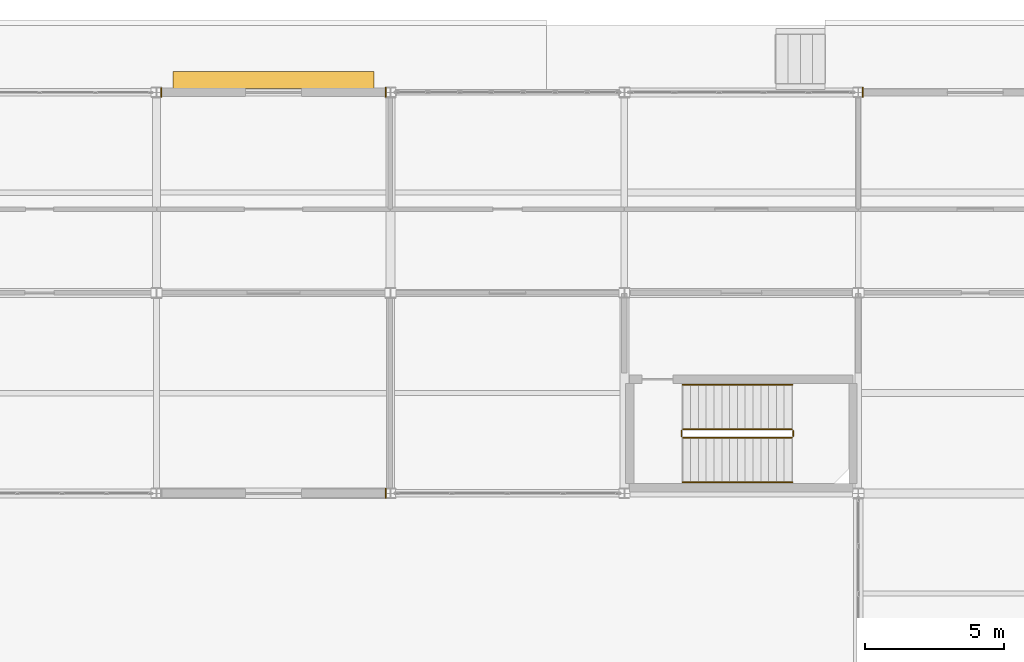
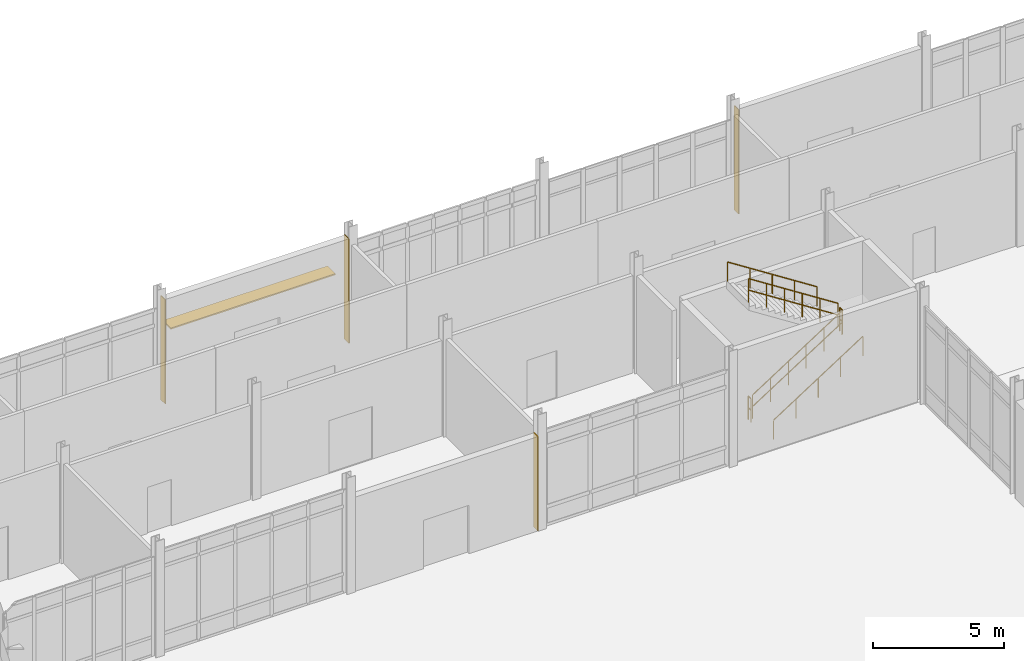
# One storey, part 218 of 229: 6 railings, 4 coverings, 1 shading device.
"""IFC4 building model written with IfcOpenShell, lengths in metres."""

import ifcopenshell
import ifcopenshell.guid

model = None  # the IFC model being written
_history = None  # IfcOwnerHistory: only IFC2X3 demands one
_inside = {}  # id of a spatial element -> (the spatial element, [elements in it])
_under = {}  # id of a project, library or spatial element -> (it, [spatial elements below it])
_declared = {}  # id of a project -> (the project, [libraries it declares])
_typed = {}  # id of a type object -> (the type object, [elements of that type])
_made_of = {}  # id of a material, layer set ... -> (it, [elements and type objects made of it])


def new_model(schema):
    """Start an empty IFC model of exactly this schema.

    Asked for "IFC4X3", IfcOpenShell would pick the latest addendum, in which some entities
    have other attributes; the version numbers below select the first issue.
    IFC2X3 requires an IfcOwnerHistory on every rooted entity: one is made here for all.
    """
    global model, _history
    if schema == "IFC4X3":
        model = ifcopenshell.file(schema_version=(4, 3, 0, 0))
    else:
        model = ifcopenshell.file(schema=schema)
    _inside.clear()
    _under.clear()
    _declared.clear()
    _typed.clear()
    _made_of.clear()
    _history = None
    if model.schema == "IFC2X3":
        org = make("IfcOrganization", Name="unknown")
        user = make(
            "IfcPersonAndOrganization",
            ThePerson=make("IfcPerson", FamilyName="unknown"),
            TheOrganization=org,
        )
        app = make(
            "IfcApplication",
            ApplicationDeveloper=org,
            Version="unknown",
            ApplicationFullName="unknown",
            ApplicationIdentifier="unknown",
        )
        _history = make(
            "IfcOwnerHistory",
            OwningUser=user,
            OwningApplication=app,
            ChangeAction="ADDED",
            CreationDate=0,
        )
    return model


def make(cls, **values):
    """One entity of the class cls with the attributes given. An attribute that is None is left unset."""
    return model.create_entity(
        cls, **{name: value for name, value in values.items() if value is not None}
    )


def rooted(cls, **values):
    """An entity with a GlobalId (a new one), such as an element, a storey or a relation."""
    return make(cls, GlobalId=ifcopenshell.guid.new(), OwnerHistory=_history, **values)


def si_unit(unit_type, name, prefix=None):
    """IfcSIUnit, for example si_unit("LENGTHUNIT", "METRE", prefix="MILLI")."""
    return make("IfcSIUnit", UnitType=unit_type, Prefix=prefix, Name=name)


def assignment(units):
    """IfcUnitAssignment: the units of a project."""
    return None if units is None else make("IfcUnitAssignment", Units=units)


def point(xyz):
    """IfcCartesianPoint."""
    return None if xyz is None else make("IfcCartesianPoint", Coordinates=xyz)


def direction(xyz):
    """IfcDirection."""
    return None if xyz is None else make("IfcDirection", DirectionRatios=xyz)


def frame(location, z_axis=None, x_axis=None):
    """IfcAxis2Placement3D, a coordinate frame: its origin and axes. An axis left out is left unset."""
    return make(
        "IfcAxis2Placement3D",
        Location=point(location),
        Axis=direction(z_axis),
        RefDirection=direction(x_axis),
    )


def frame_2d(location, x_axis=None):
    """IfcAxis2Placement2D, a coordinate frame in the plane: its origin and x axis."""
    return make(
        "IfcAxis2Placement2D", Location=point(location), RefDirection=direction(x_axis)
    )


def origin():
    """The frame at (0, 0, 0) with its axes left unset."""
    return frame((0.0, 0.0, 0.0))


def origin_2d():
    """The frame at (0, 0) in the plane with its x axis left unset."""
    return frame_2d((0.0, 0.0))


def place(relative_to, where):
    """IfcLocalPlacement: puts the frame where relative to a parent placement (None: the world)."""
    return make(
        "IfcLocalPlacement", PlacementRelTo=relative_to, RelativePlacement=where
    )


def context(
    kind, dimensions, precision=None, world=None, true_north=None, identifier=None
):
    """IfcGeometricRepresentationContext, for example the 3D "Model" context."""
    return make(
        "IfcGeometricRepresentationContext",
        ContextIdentifier=identifier,
        ContextType=kind,
        CoordinateSpaceDimension=dimensions,
        Precision=precision,
        WorldCoordinateSystem=world,
        TrueNorth=true_north,
    )


def subcontext(parent, identifier, kind, view, scale=None):
    """IfcGeometricRepresentationSubContext, for example "Body" below "Model"."""
    return make(
        "IfcGeometricRepresentationSubContext",
        ContextIdentifier=identifier,
        ContextType=kind,
        ParentContext=parent,
        TargetScale=scale,
        TargetView=view,
    )


def project(units=None, contexts=None):
    """IfcProject with its units and contexts."""
    return rooted(
        "IfcProject",
        Name="project",
        RepresentationContexts=contexts,
        UnitsInContext=assignment(units),
    )


def spatial(cls, under=None, at=None, **own):
    """A site, building, storey or space (cls), placed at a placement, below another one or the project."""
    s = rooted(cls, ObjectPlacement=at, **own)
    if under is not None:
        _under.setdefault(under.id(), (under, []))[1].append(s)
    return s


def polyline(points):
    """IfcPolyline through the points."""
    return make("IfcPolyline", Points=[point(p) for p in points])


def profile(cls, at=None, kind="AREA", **sizes):
    """A parametric profile (cls). Its sizes go by their IFC names, for example OverallWidth=200.0."""
    return make(cls, ProfileType=kind, Position=at, **sizes)


def rectangle(**sizes):
    """IfcRectangleProfileDef."""
    return profile("IfcRectangleProfileDef", **sizes)


def circle(**sizes):
    """IfcCircleProfileDef."""
    return profile("IfcCircleProfileDef", **sizes)


def outline(outer, holes=None, kind="AREA"):
    """IfcArbitraryClosedProfileDef: a profile drawn as a closed curve; with holes, ...WithVoids."""
    if holes is None:
        return make("IfcArbitraryClosedProfileDef", ProfileType=kind, OuterCurve=outer)
    return make(
        "IfcArbitraryProfileDefWithVoids",
        ProfileType=kind,
        OuterCurve=outer,
        InnerCurves=holes,
    )


def extrude(swept, where, along, depth):
    """IfcExtrudedAreaSolid: the profile swept, set in the frame where, extruded along a direction by depth."""
    return make(
        "IfcExtrudedAreaSolid",
        SweptArea=swept,
        Position=where,
        ExtrudedDirection=direction(along),
        Depth=depth,
    )


def shape(context_of_items, identifier, shape_type, items):
    """IfcShapeRepresentation: the items that make up one representation, for example the "Body"."""
    return make(
        "IfcShapeRepresentation",
        ContextOfItems=context_of_items,
        RepresentationIdentifier=identifier,
        RepresentationType=shape_type,
        Items=items,
    )


def material(Name=None, Category=None):
    """IfcMaterial."""
    return make("IfcMaterial", Name=Name, Category=Category)


def layer(
    of_material, thickness, ventilated=None, Name=None, Category=None, Priority=None
):
    """IfcMaterialLayer: one layer of a wall or slab, of a material (None: an air gap)."""
    return make(
        "IfcMaterialLayer",
        Material=of_material,
        LayerThickness=thickness,
        IsVentilated=ventilated,
        Name=Name,
        Category=Category,
        Priority=Priority,
    )


def layer_set(layers, Name=None):
    """IfcMaterialLayerSet."""
    return make("IfcMaterialLayerSet", MaterialLayers=layers, LayerSetName=Name)


def made_of(thing, what):
    """Note that an element or type object is made of a material, layer set ...; save() writes the relation."""
    if what is not None:
        _made_of.setdefault(what.id(), (what, []))[1].append(thing)
    return thing


def type_object(cls, material=None, **own):
    """A type object (cls), such as IfcWallType, which elements share."""
    return made_of(rooted(cls, **own), material)


def element(
    cls,
    number,
    at=None,
    inside=None,
    cuts=None,
    type_object=None,
    material=None,
    context=None,
    identifier="Body",
    shape_type=None,
    held_by="IfcProductDefinitionShape",
    body=None,
    shapes=None,
    **own,
):
    """One element of the class cls, such as IfcWall. Its Tag is "e" and its number.

    at: its placement. inside: the storey or other place that contains it. cuts: it is an
    opening in that element (IfcRelVoidsElement). A single representation is given by context,
    identifier, shape_type and body (its items); several are given by shapes. held_by: the class
    of the entity that holds the representations. save() writes the other relations.
    """
    e = rooted(cls, Tag="e%d" % number, ObjectPlacement=at, **own)
    if body is not None:
        shapes = [shape(context, identifier, shape_type, body)]
    if shapes is not None:
        e.Representation = make(held_by, Representations=shapes)
    if inside is not None:
        _inside.setdefault(inside.id(), (inside, []))[1].append(e)
    if cuts is not None:
        rooted(
            "IfcRelVoidsElement", RelatingBuildingElement=cuts, RelatedOpeningElement=e
        )
    if type_object is not None:
        _typed.setdefault(type_object.id(), (type_object, []))[1].append(e)
    return made_of(e, material)


def aggregate(whole, parts):
    """IfcRelAggregates: a whole, such as a stair, and the parts it consists of."""
    return rooted("IfcRelAggregates", RelatingObject=whole, RelatedObjects=parts)


def save(model, path):
    """Write the relations noted so far, then the file.

    IfcRelAggregates (storeys below a building ...), IfcRelContainedInSpatialStructure (elements
    in a storey), IfcRelDefinesByType, IfcRelAssociatesMaterial and IfcRelDeclares: one each for
    every whole, place, type object, material and project.
    """
    for whole, parts in _under.values():
        aggregate(whole, parts)
    for where, things in _inside.values():
        rooted(
            "IfcRelContainedInSpatialStructure",
            RelatedElements=things,
            RelatingStructure=where,
        )
    for kind, things in _typed.values():
        rooted("IfcRelDefinesByType", RelatedObjects=things, RelatingType=kind)
    for what, things in _made_of.values():
        rooted("IfcRelAssociatesMaterial", RelatedObjects=things, RelatingMaterial=what)
    for by, libraries in _declared.values():
        rooted("IfcRelDeclares", RelatingContext=by, RelatedDefinitions=libraries)
    model.write(path)


model = new_model("IFC4")

# Units and contexts
model_context = context("Model", 3, precision=1e-05, world=origin(), true_north=direction((0.0, 1.0)))
body_context = subcontext(model_context, "Body", "Model", "MODEL_VIEW")
ifc_project = project(units=[si_unit("LENGTHUNIT", "METRE"), si_unit("AREAUNIT", "SQUARE_METRE"), si_unit("VOLUMEUNIT", "CUBIC_METRE"), si_unit("PLANEANGLEUNIT", "RADIAN"), si_unit("MASSUNIT", "GRAM", prefix="KILO")], contexts=[model_context])

# Site, building, storey
site_placement = place(None, origin())
site = spatial("IfcSite", under=ifc_project, at=site_placement, CompositionType="ELEMENT")
building_placement = place(site_placement, origin())
building = spatial("IfcBuilding", under=site, at=building_placement, Name="Calvrana Isthmian Art Gallery", CompositionType="ELEMENT")
storey_placement = place(building_placement, origin())
storey = spatial("IfcBuildingStorey", under=building, at=storey_placement, Name="L00", CompositionType="ELEMENT", Elevation=0.0)

# Coverings
ifc_material_1 = material(Name="Polychrome glazed terracotta", Category="masonry")
ifc_layer_1 = layer(ifc_material_1, 0.0400390625, Name="Polychrome glazed terracotta")
ifc_layer_set_1 = layer_set([ifc_layer_1], Name="Polychrome glazed terracotta")
covering_type = type_object("IfcCoveringType", Name="COV-CLAD-TERRA", PredefinedType="CLADDING", material=ifc_layer_set_1)
covering_1_placement = place(storey_placement, origin())
element("IfcCovering", 1, at=covering_1_placement, inside=storey, type_object=covering_type, Name="Column pocket weather closure L00-04-13-E", PredefinedType="CLADDING", context=body_context, shape_type="SweptSolid", body=[
    extrude(outline(polyline([(38.214599609375, 98.223388671875), (38.25439453125, 98.223388671875), (38.25439453125, 98.576416015625), (38.214599609375, 98.576416015625), (38.214599609375, 98.223388671875)])), origin(), (0.0, 0.0, 1.0), 4.3779296875),
])
covering_2_placement = place(storey_placement, origin())
element("IfcCovering", 2, at=covering_2_placement, inside=storey, type_object=covering_type, Name="Column pocket weather closure L00-04-15-W", PredefinedType="CLADDING", context=body_context, shape_type="SweptSolid", body=[
    extrude(outline(polyline([(30.14404296875, 112.626953125), (30.18408203125, 112.626953125), (30.18408203125, 112.972900390625), (30.14404296875, 112.972900390625), (30.14404296875, 112.626953125)])), origin(), (0.0, 0.0, 1.0), 4.835205078125),
])
covering_3_placement = place(storey_placement, origin())
element("IfcCovering", 3, at=covering_3_placement, inside=storey, type_object=covering_type, Name="Column pocket weather closure L00-04-15-E", PredefinedType="CLADDING", context=body_context, shape_type="SweptSolid", body=[
    extrude(outline(polyline([(38.21337890625, 112.618408203125), (38.25341796875, 112.618408203125), (38.25341796875, 112.9814453125), (38.21337890625, 112.9814453125), (38.21337890625, 112.618408203125)])), origin(), (0.0, 0.0, 1.0), 4.835205078125),
])
covering_4_placement = place(storey_placement, origin())
element("IfcCovering", 4, at=covering_4_placement, inside=storey, type_object=covering_type, Name="Column pocket weather closure L00-07-15-W", PredefinedType="CLADDING", context=body_context, shape_type="SweptSolid", body=[
    extrude(outline(polyline([(55.345458984375, 112.62353515625), (55.385498046875, 112.62353515625), (55.385498046875, 112.9765625), (55.345458984375, 112.9765625), (55.345458984375, 112.62353515625)])), origin(), (0.0, 0.0, 1.0), 4.835205078125),
])

# Railings
ifc_material_2 = material(Name="Stainless steel 316", Category="steel")
railing_type_1 = type_object("IfcRailingType", Name="RL-GUARD-1120", PredefinedType="BALUSTRADE", material=ifc_material_2)
railing_1_placement = place(storey_placement, frame((48.89990234375, 100.39990234375, 0.179931640625)))
element("IfcRailing", 5, at=railing_1_placement, inside=storey, type_object=railing_type_1, Name="Stair ST-6 guard L00-1", PredefinedType="BALUSTRADE", context=body_context, shape_type="SweptSolid", body=[
    extrude(circle(Radius=0.02392578125, at=origin_2d()), frame((0.0, 0.0, 1.09619140625), z_axis=(0.841186985886, 0.0, 0.540744352514), x_axis=(0.0, 1.0, 0.0)), (0.0, 0.0, 1.0), 4.660400390625),
    extrude(circle(Radius=0.02392578125, at=origin_2d()), frame((0.0, 0.0, 0.56005859375), z_axis=(0.841186985886, 0.0, 0.540744352514), x_axis=(0.0, 1.0, 0.0)), (0.0, 0.0, 1.0), 4.660400390625),
    extrude(circle(Radius=0.02099609375, at=origin_2d()), origin(), (0.0, 0.0, 1.0), 1.072021484375),
    extrude(circle(Radius=0.02099609375, at=origin_2d()), frame((0.783935546875, 0.0, 0.50390625)), (0.0, 0.0, 1.0), 1.072021484375),
    extrude(circle(Radius=0.02099609375, at=origin_2d()), frame((1.568115234375, 0.0, 1.008056640625)), (0.0, 0.0, 1.0), 1.072021484375),
    extrude(circle(Radius=0.02099609375, at=origin_2d()), frame((2.35205078125, 0.0, 1.511962890625)), (0.0, 0.0, 1.0), 1.072021484375),
    extrude(circle(Radius=0.02099609375, at=origin_2d()), frame((3.13623046875, 0.0, 2.01611328125)), (0.0, 0.0, 1.0), 1.072021484375),
    extrude(circle(Radius=0.02099609375, at=origin_2d()), frame((3.920166015625, 0.0, 2.52001953125)), (0.0, 0.0, 1.0), 1.072021484375),
])
railing_2_placement = place(storey_placement, frame((52.8701171875, 100.449951171875, 2.699951171875)))
element("IfcRailing", 6, at=railing_2_placement, inside=storey, type_object=railing_type_1, Name="Stair ST-6 guard L00-2", PredefinedType="BALUSTRADE", context=body_context, shape_type="SweptSolid", body=[
    extrude(circle(Radius=0.02392578125, at=origin_2d()), frame((0.0, 0.0, 1.09619140625), z_axis=(0.0, 1.0, 0.0), x_axis=(-1.0, 0.0, 0.0)), (0.0, 0.0, 1.0), 0.199951171875),
    extrude(circle(Radius=0.02392578125, at=origin_2d()), frame((0.0, 0.0, 0.56005859375), z_axis=(0.0, 1.0, 0.0), x_axis=(-1.0, 0.0, 0.0)), (0.0, 0.0, 1.0), 0.199951171875),
    extrude(circle(Radius=0.02099609375, at=origin_2d()), origin(), (0.0, 0.0, 1.0), 1.072021484375),
    extrude(circle(Radius=0.02099609375, at=origin_2d()), frame((0.0, 0.199951171875, 0.0)), (0.0, 0.0, 1.0), 1.072021484375),
])
railing_3_placement = place(storey_placement, frame((52.820068359375, 100.699951171875, 2.8798828125)))
element("IfcRailing", 7, at=railing_3_placement, inside=storey, type_object=railing_type_1, Name="Stair ST-6 guard L00-3", PredefinedType="BALUSTRADE", context=body_context, shape_type="SweptSolid", body=[
    extrude(circle(Radius=0.02392578125, at=origin_2d()), frame((0.0, 0.0, 1.09619140625), z_axis=(-0.841186985886, 0.0, 0.540744352514), x_axis=(0.0, -1.0, 0.0)), (0.0, 0.0, 1.0), 4.660400390625),
    extrude(circle(Radius=0.02392578125, at=origin_2d()), frame((0.0, 0.0, 0.56005859375), z_axis=(-0.841186985886, 0.0, 0.540744352514), x_axis=(0.0, -1.0, 0.0)), (0.0, 0.0, 1.0), 4.660400390625),
    extrude(circle(Radius=0.02099609375, at=origin_2d()), origin(), (0.0, 0.0, 1.0), 1.072021484375),
    extrude(circle(Radius=0.02099609375, at=origin_2d()), frame((-0.783935546875, 0.0, 0.50390625)), (0.0, 0.0, 1.0), 1.072021484375),
    extrude(circle(Radius=0.02099609375, at=origin_2d()), frame((-1.568115234375, 0.0, 1.008056640625)), (0.0, 0.0, 1.0), 1.072021484375),
    extrude(circle(Radius=0.02099609375, at=origin_2d()), frame((-2.35205078125, 0.0, 1.511962890625)), (0.0, 0.0, 1.0), 1.072021484375),
    extrude(circle(Radius=0.02099609375, at=origin_2d()), frame((-3.13623046875, 0.0, 2.01611328125)), (0.0, 0.0, 1.0), 1.072021484375),
    extrude(circle(Radius=0.02099609375, at=origin_2d()), frame((-3.920166015625, 0.0, 2.52001953125)), (0.0, 0.0, 1.0), 1.072021484375),
])
railing_4_placement = place(storey_placement, frame((48.85009765625, 100.449951171875, 0.0)))
element("IfcRailing", 8, at=railing_4_placement, inside=storey, type_object=railing_type_1, Name="Stair ST-6 guard L00-4", PredefinedType="BALUSTRADE", context=body_context, shape_type="SweptSolid", body=[
    extrude(circle(Radius=0.02392578125, at=origin_2d()), frame((0.0, 0.0, 1.09619140625), z_axis=(0.0, 1.0, 0.0), x_axis=(-1.0, 0.0, 0.0)), (0.0, 0.0, 1.0), 0.199951171875),
    extrude(circle(Radius=0.02392578125, at=origin_2d()), frame((0.0, 0.0, 0.56005859375), z_axis=(0.0, 1.0, 0.0), x_axis=(-1.0, 0.0, 0.0)), (0.0, 0.0, 1.0), 0.199951171875),
    extrude(circle(Radius=0.02099609375, at=origin_2d()), origin(), (0.0, 0.0, 1.0), 1.072021484375),
    extrude(circle(Radius=0.02099609375, at=origin_2d()), frame((0.0, 0.199951171875, 0.0)), (0.0, 0.0, 1.0), 1.072021484375),
])
railing_type_2 = type_object("IfcRailingType", Name="RL-HAND-920", PredefinedType="HANDRAIL", material=ifc_material_2)
railing_5_placement = place(storey_placement, frame((48.89990234375, 98.800048828125, 0.179931640625)))
element("IfcRailing", 9, at=railing_5_placement, inside=storey, type_object=railing_type_2, Name="Stair ST-6 handrail L00-1", PredefinedType="HANDRAIL", context=body_context, shape_type="SweptSolid", body=[
    extrude(circle(Radius=0.02392578125, at=origin_2d()), frame((0.0, 0.0, 0.89599609375), z_axis=(0.841186985886, 0.0, 0.540744352514), x_axis=(0.0, 1.0, 0.0)), (0.0, 0.0, 1.0), 4.660400390625),
    extrude(circle(Radius=0.02099609375, at=origin_2d()), origin(), (0.0, 0.0, 1.0), 0.871826171875),
    extrude(circle(Radius=0.02099609375, at=origin_2d()), frame((0.97998046875, 0.0, 0.6298828125)), (0.0, 0.0, 1.0), 0.871826171875),
    extrude(circle(Radius=0.02099609375, at=origin_2d()), frame((1.9599609375, 0.0, 1.260009765625)), (0.0, 0.0, 1.0), 0.871826171875),
    extrude(circle(Radius=0.02099609375, at=origin_2d()), frame((2.940185546875, 0.0, 1.89013671875)), (0.0, 0.0, 1.0), 0.871826171875),
    extrude(circle(Radius=0.02099609375, at=origin_2d()), frame((3.920166015625, 0.0, 2.52001953125)), (0.0, 0.0, 1.0), 0.871826171875),
])
railing_6_placement = place(storey_placement, frame((52.820068359375, 102.300048828125, 2.8798828125)))
element("IfcRailing", 10, at=railing_6_placement, inside=storey, type_object=railing_type_2, Name="Stair ST-6 handrail L00-2", PredefinedType="HANDRAIL", context=body_context, shape_type="SweptSolid", body=[
    extrude(circle(Radius=0.02392578125, at=origin_2d()), frame((0.0, 0.0, 0.89599609375), z_axis=(-0.841186985886, 0.0, 0.540744352514), x_axis=(0.0, -1.0, 0.0)), (0.0, 0.0, 1.0), 4.660400390625),
    extrude(circle(Radius=0.02099609375, at=origin_2d()), origin(), (0.0, 0.0, 1.0), 0.871826171875),
    extrude(circle(Radius=0.02099609375, at=origin_2d()), frame((-0.97998046875, 0.0, 0.6298828125)), (0.0, 0.0, 1.0), 0.871826171875),
    extrude(circle(Radius=0.02099609375, at=origin_2d()), frame((-1.9599609375, 0.0, 1.260009765625)), (0.0, 0.0, 1.0), 0.871826171875),
    extrude(circle(Radius=0.02099609375, at=origin_2d()), frame((-2.940185546875, 0.0, 1.89013671875)), (0.0, 0.0, 1.0), 0.871826171875),
    extrude(circle(Radius=0.02099609375, at=origin_2d()), frame((-3.920166015625, 0.0, 2.52001953125)), (0.0, 0.0, 1.0), 0.871826171875),
])

# Shading device
ifc_material_3 = material(Name="Anodized bronze aluminium 6063-T6", Category="aluminium")
ifc_layer_2 = layer(ifc_material_3, 0.06005859375, Name="Anodized bronze aluminium 6063-T6")
ifc_layer_set_2 = layer_set([ifc_layer_2], Name="Anodized bronze aluminium 6063-T6")
shading_device_type = type_object("IfcShadingDeviceType", Name="SHD-LOUVRE-600", PredefinedType="JALOUSIE", material=ifc_layer_set_2)
shading_device_placement = place(storey_placement, frame((34.19873046875, 113.248046875, 3.119873046875), z_axis=(0.0, 0.0, 1.0), x_axis=(1.0, 0.0, 0.0)))
element("IfcShadingDevice", 11, at=shading_device_placement, inside=storey, type_object=shading_device_type, Name="Anodized bronze horizontal canopy sunshade LV-06", PredefinedType="JALOUSIE", context=body_context, shape_type="SweptSolid", body=[
    extrude(rectangle(XDim=7.2294921875, YDim=0.60009765625, at=origin_2d()), origin(), (0.0, 0.0, 1.0), 0.06005859375),
])

save(model, "model.ifc")
